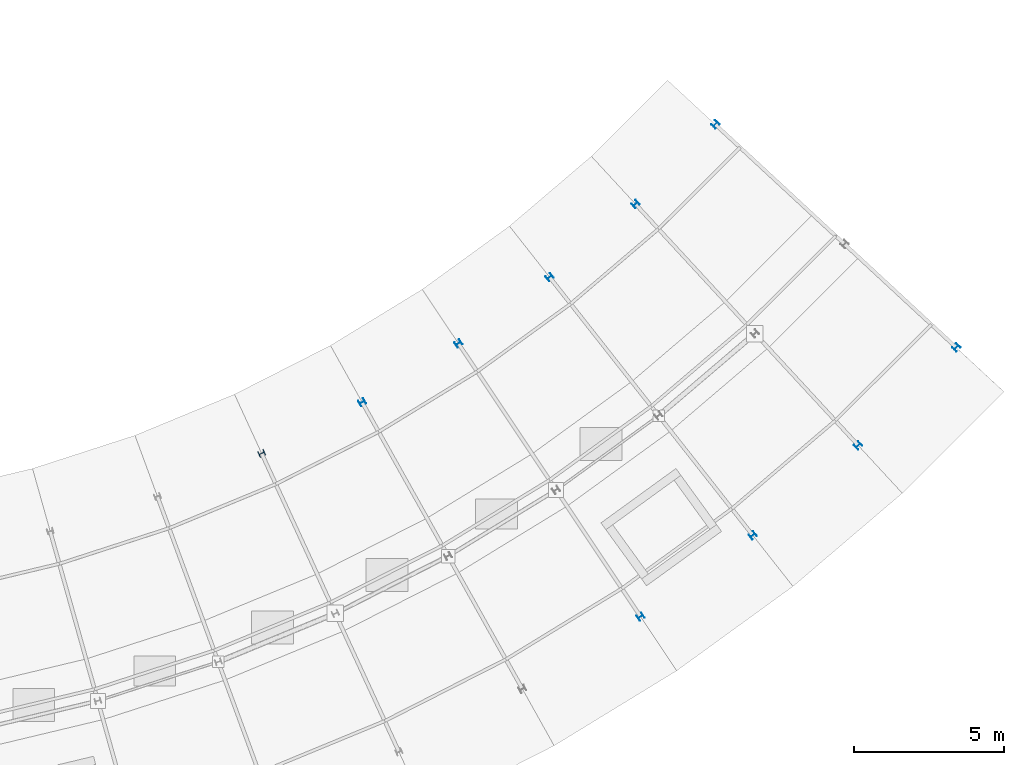
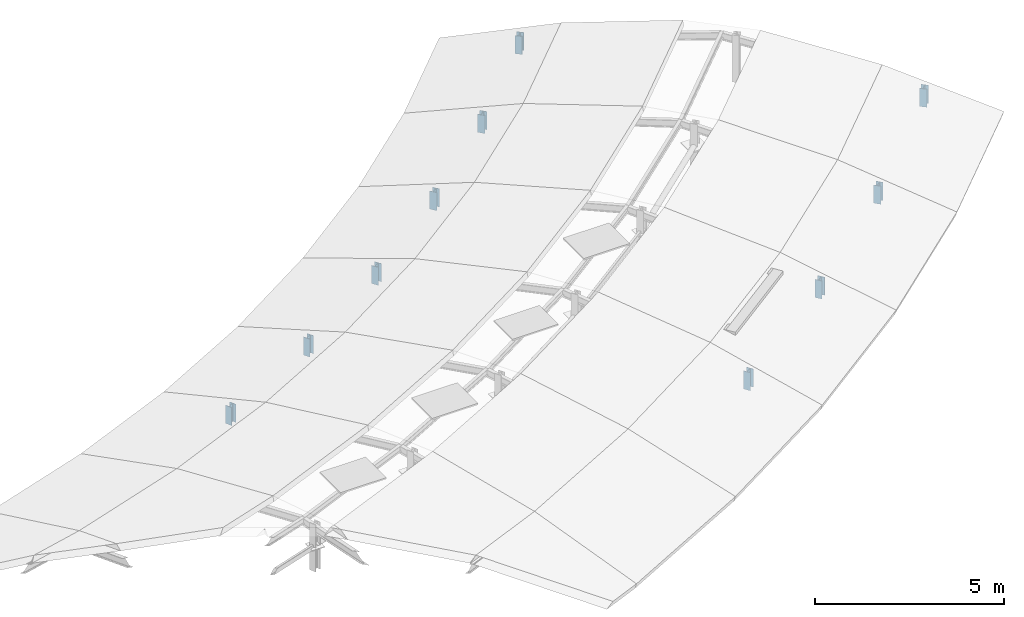
# One storey, part 7 of 50: 10 columns.
"""IFC4 building model written with IfcOpenShell, lengths in metres."""

from ifc_helpers import new_model, si_unit, direction, frame, origin, origin_2d, place, context, subcontext, project, spatial, i_section, extrude, material, material_profile, profile_set, type_object, element, save


model = new_model("IFC4")

# Units and contexts
model_context = context("Model", 3, precision=1e-05, world=origin(), true_north=direction((0.0, 1.0)))
body_context = subcontext(model_context, "Body", "Model", "MODEL_VIEW")
ifc_project = project(units=[si_unit("LENGTHUNIT", "METRE"), si_unit("AREAUNIT", "SQUARE_METRE"), si_unit("VOLUMEUNIT", "CUBIC_METRE"), si_unit("PLANEANGLEUNIT", "RADIAN"), si_unit("MASSUNIT", "GRAM", prefix="KILO")], contexts=[model_context])

# Site, building, storey
site_placement = place(None, origin())
site = spatial("IfcSite", under=ifc_project, at=site_placement, CompositionType="ELEMENT")
building_placement = place(site_placement, origin())
building = spatial("IfcBuilding", under=site, at=building_placement, Name="Zimvara Arc Housing Community", CompositionType="ELEMENT")
storey_placement = place(building_placement, frame((0.0, 0.0, 26.699951171875)))
storey = spatial("IfcBuildingStorey", under=building, at=storey_placement, Name="L08", CompositionType="ELEMENT", Elevation=26.699951171875)

# Columns
ifc_material = material(Name="Steel S355", Category="steel")
ifc_material_profile = material_profile(ifc_material, i_section(OverallWidth=0.199951171875, OverallDepth=0.199951171875, WebThickness=0.009033203125, FlangeThickness=0.014892578125, FilletRadius=0.01806640625, at=origin_2d()), Name="HEB 200")
ifc_profile_set = profile_set([ifc_material_profile], Name="Steel S355")
column_type = type_object("IfcColumnType", Name="COL-ST-HEB200", PredefinedType="COLUMN", material=ifc_profile_set)
for number, where, z_axis, x_axis, name in (
    (1, (146.004150390625, 66.32421875, 0.0), (0.0, 0.0, 1.0), (0.417867073801, -0.908508177527, 0.0), "col:blkD:L08:ribpost1:g5"),
    (2, (149.358154296875, 68.029541015625, 0.0), (0.0, 0.0, 1.0), (0.487859659139, -0.87292207727, 0.0), "col:blkD:L08:ribpost1:g6"),
    (3, (152.568115234375, 69.99267578125, 0.0), (0.0, 0.0, 1.0), (0.554844427448, -0.83195412213, 0.0), "col:blkD:L08:ribpost1:g7"),
    (4, (158.649169921875, 60.87451171875, 0.0), (0.0, 0.0, 1.0), (0.554844427448, -0.83195412213, 0.0), "col:blkD:L08:ribpost3:g7"),
    (5, (155.614013671875, 72.20166015625, 0.0), (0.0, 0.0, 1.0), (0.618408395358, -0.785856893175, 0.0), "col:blkD:L08:ribpost1:g8"),
    (6, (162.391845703125, 63.5888671875, 0.0), (0.0, 0.0, 1.0), (0.618408395358, -0.785856893175, 0.0), "col:blkD:L08:ribpost3:g8"),
    (7, (158.477294921875, 74.642822265625, 0.0), (0.0, 0.0, 1.0), (0.678159669868, -0.73491459515, 0.0), "col:blkD:L08:ribpost1:g9"),
    (8, (165.91015625, 66.588134765625, 0.0), (0.0, 0.0, 1.0), (0.678159669868, -0.73491459515, 0.0), "col:blkD:L08:ribpost3:g9"),
    (9, (161.140380859375, 77.30126953125, 0.0), (0.0, 0.0, 1.0), (0.733729864503, -0.679441304262, 0.0), "col:blkD:L08:ribpost1:g10"),
    (10, (169.18212890625, 69.8544921875, 0.0), (0.0, 0.0, 1.0), (0.733729864503, -0.679441304262, 0.0), "col:blkD:L08:ribpost3:g10"),
):
    element("IfcColumn", number, at=place(storey_placement, frame(where, z_axis=z_axis, x_axis=x_axis)), inside=storey, type_object=column_type, Name=name, PredefinedType="COLUMN", context=body_context, shape_type="SweptSolid", body=[
        extrude(i_section(OverallWidth=0.199951171875, OverallDepth=0.199951171875, WebThickness=0.009033203125, FlangeThickness=0.014892578125, FilletRadius=0.01806640625, at=origin_2d()), origin(), (0.0, 0.0, 1.0), 0.582763671875),
    ])

save(model, "model.ifc")
